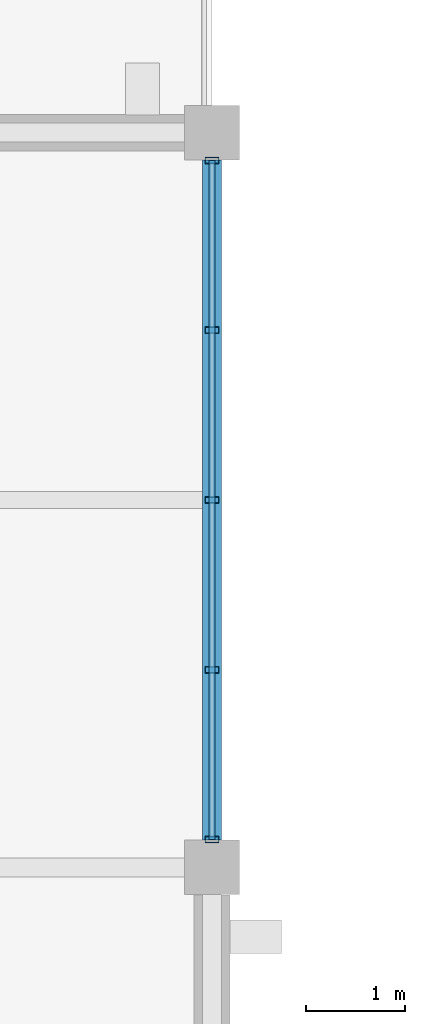
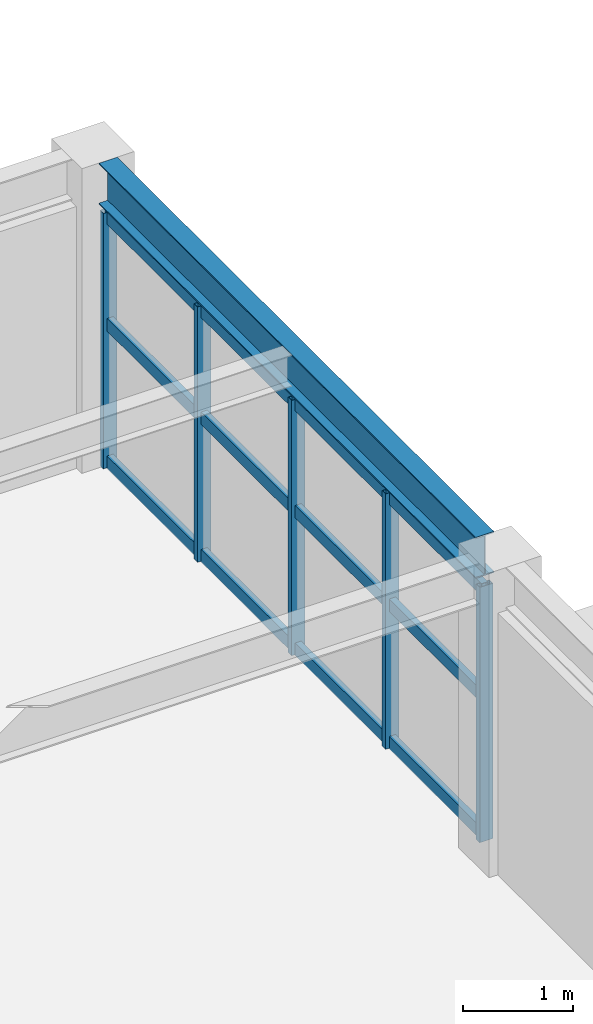
# One storey, part 18 of 93: 8 members, 1 beam, 1 element without a shape of its own.
"""IFC4 building model written with IfcOpenShell, lengths in metres."""

from ifc_helpers import new_model, si_unit, direction, frame, origin, origin_2d, place, context, subcontext, project, spatial, hollow_rectangle, i_section, extrude, material, material_profile, profile_set, type_object, element, aggregate, save


model = new_model("IFC4")

# Units and contexts
model_context = context("Model", 3, precision=1e-05, world=origin(), true_north=direction((0.0, 1.0)))
body_context = subcontext(model_context, "Body", "Model", "MODEL_VIEW")
ifc_project = project(units=[si_unit("LENGTHUNIT", "METRE"), si_unit("AREAUNIT", "SQUARE_METRE"), si_unit("VOLUMEUNIT", "CUBIC_METRE"), si_unit("PLANEANGLEUNIT", "RADIAN"), si_unit("MASSUNIT", "GRAM", prefix="KILO")], contexts=[model_context])

# Site, building, storey
site_placement = place(None, origin())
site = spatial("IfcSite", under=ifc_project, at=site_placement, CompositionType="ELEMENT")
building_placement = place(site_placement, origin())
building = spatial("IfcBuilding", under=site, at=building_placement, Name="Cimatlan Art Gallery", CompositionType="ELEMENT")
storey_placement = place(building_placement, frame((0.0, 0.0, 13.800048828125)))
storey = spatial("IfcBuildingStorey", under=building, at=storey_placement, Name="L03", CompositionType="ELEMENT", Elevation=13.800048828125)

# Beam
ifc_material_1 = material(Name="Steel ASTM A992 Grade 50", Category="steel")
ifc_material_profile_1 = material_profile(ifc_material_1, i_section(OverallWidth=0.19091796875, OverallDepth=0.45703125, WebThickness=0.009033203125, FlangeThickness=0.014404296875, at=origin_2d()), Name="W18X50")
ifc_profile_set_1 = profile_set([ifc_material_profile_1], Name="Steel ASTM A992 Grade 50")
beam_type = type_object("IfcBeamType", Name="BM-STL-W18X50", PredefinedType="BEAM", material=ifc_profile_set_1)
beam_placement = place(storey_placement, frame((18.199951171875, 61.175048828125, 3.1513671875), z_axis=(0.0, 1.0, 0.0), x_axis=(-1.0, 0.0, 0.0)))
element("IfcBeam", 1, at=beam_placement, inside=storey, type_object=beam_type, Name="BM-Y-L03-02-08", PredefinedType="BEAM", context=body_context, shape_type="SweptSolid", body=[
    extrude(i_section(OverallWidth=0.19091796875, OverallDepth=0.45703125, WebThickness=0.009033203125, FlangeThickness=0.014404296875, at=origin_2d()), origin(), (0.0, 0.0, 1.0), 6.849853515625),
])

# Curtain wall, members
ifc_material_2 = material(Name="Anodised bronze unitised curtain wall")
curtain_wall_type = type_object("IfcCurtainWallType", Name="CW-V-06842X02833-B4", PredefinedType="NOTDEFINED", material=ifc_material_2)
curtain_wall_placement = place(storey_placement, origin())
curtain_wall = element("IfcCurtainWall", 2, at=curtain_wall_placement, inside=storey, type_object=curtain_wall_type, Name="CW-L03-01-08-E", PredefinedType="NOTDEFINED")
ifc_material_3 = material(Name="Anodised bronze aluminium 6063-T6", Category="aluminium")
ifc_material_profile_2 = material_profile(ifc_material_3, hollow_rectangle(XDim=0.06494140625, YDim=0.139892578125, WallThickness=0.00390625, at=origin_2d()), Name="ALU65X140X4")
ifc_profile_set_2 = profile_set([ifc_material_profile_2], Name="Anodised bronze aluminium 6063-T6")
member_type_1 = type_object("IfcMemberType", Name="CW-MUL-140", PredefinedType="MULLION", material=ifc_profile_set_2)
member_1_placement = place(storey_placement, frame((18.199951171875, 68.02099609375, 0.0), z_axis=(0.0, 0.0, 1.0), x_axis=(0.0, 1.0, 0.0)))
member_1 = element("IfcMember", 3, at=member_1_placement, type_object=member_type_1, Name="CW-L03-01-08-E-M1", PredefinedType="MULLION", context=body_context, shape_type="SweptSolid", body=[
    extrude(hollow_rectangle(XDim=0.06494140625, YDim=0.139892578125, WallThickness=0.00390625, at=origin_2d()), origin(), (0.0, 0.0, 1.0), 2.8330078125),
])
member_2_placement = place(storey_placement, frame((18.199951171875, 66.310546875, 0.0), z_axis=(0.0, 0.0, 1.0), x_axis=(0.0, 1.0, 0.0)))
member_2 = element("IfcMember", 4, at=member_2_placement, type_object=member_type_1, Name="CW-L03-01-08-E-M2", PredefinedType="MULLION", context=body_context, shape_type="SweptSolid", body=[
    extrude(hollow_rectangle(XDim=0.06494140625, YDim=0.139892578125, WallThickness=0.00390625, at=origin_2d()), origin(), (0.0, 0.0, 1.0), 2.8330078125),
])
member_3_placement = place(storey_placement, frame((18.199951171875, 64.60009765625, 0.0), z_axis=(0.0, 0.0, 1.0), x_axis=(0.0, 1.0, 0.0)))
member_3 = element("IfcMember", 5, at=member_3_placement, type_object=member_type_1, Name="CW-L03-01-08-E-M3", PredefinedType="MULLION", context=body_context, shape_type="SweptSolid", body=[
    extrude(hollow_rectangle(XDim=0.06494140625, YDim=0.139892578125, WallThickness=0.00390625, at=origin_2d()), origin(), (0.0, 0.0, 1.0), 2.8330078125),
])
member_4_placement = place(storey_placement, frame((18.199951171875, 62.889404296875, 0.0), z_axis=(0.0, 0.0, 1.0), x_axis=(0.0, 1.0, 0.0)))
member_4 = element("IfcMember", 6, at=member_4_placement, type_object=member_type_1, Name="CW-L03-01-08-E-M4", PredefinedType="MULLION", context=body_context, shape_type="SweptSolid", body=[
    extrude(hollow_rectangle(XDim=0.06494140625, YDim=0.139892578125, WallThickness=0.00390625, at=origin_2d()), origin(), (0.0, 0.0, 1.0), 2.8330078125),
])
member_5_placement = place(storey_placement, frame((18.199951171875, 61.178955078125, 0.0), z_axis=(0.0, 0.0, 1.0), x_axis=(0.0, 1.0, 0.0)))
member_5 = element("IfcMember", 7, at=member_5_placement, type_object=member_type_1, Name="CW-L03-01-08-E-M5", PredefinedType="MULLION", context=body_context, shape_type="SweptSolid", body=[
    extrude(hollow_rectangle(XDim=0.06494140625, YDim=0.139892578125, WallThickness=0.00390625, at=origin_2d()), origin(), (0.0, 0.0, 1.0), 2.8330078125),
])
ifc_material_profile_3 = material_profile(ifc_material_3, hollow_rectangle(XDim=0.06494140625, YDim=0.139892578125, WallThickness=0.00390625, at=origin_2d()), Name="ALU65X140X4")
ifc_profile_set_3 = profile_set([ifc_material_profile_3], Name="Anodised bronze aluminium 6063-T6")
member_type_2 = type_object("IfcMemberType", Name="CW-TRN-140", PredefinedType="USERDEFINED", material=ifc_profile_set_3)
member_6_placement = place(storey_placement, frame((18.199951171875, 68.02099609375, 0.06005859375), z_axis=(0.0, -1.0, 0.0), x_axis=(1.0, 0.0, 0.0)))
member_6 = element("IfcMember", 8, at=member_6_placement, type_object=member_type_2, Name="CW-L03-01-08-E-T1", ObjectType="TRANSOM", PredefinedType="USERDEFINED", context=body_context, shape_type="SweptSolid", body=[
    extrude(hollow_rectangle(XDim=0.06494140625, YDim=0.139892578125, WallThickness=0.00390625, at=origin_2d()), origin(), (0.0, 0.0, 1.0), 6.842041015625),
])
member_7_placement = place(storey_placement, frame((18.199951171875, 68.02099609375, 1.58642578125), z_axis=(0.0, -1.0, 0.0), x_axis=(1.0, 0.0, 0.0)))
member_7 = element("IfcMember", 9, at=member_7_placement, type_object=member_type_2, Name="CW-L03-01-08-E-T2", ObjectType="TRANSOM", PredefinedType="USERDEFINED", context=body_context, shape_type="SweptSolid", body=[
    extrude(hollow_rectangle(XDim=0.06494140625, YDim=0.139892578125, WallThickness=0.00390625, at=origin_2d()), origin(), (0.0, 0.0, 1.0), 6.842041015625),
])
member_8_placement = place(storey_placement, frame((18.199951171875, 68.02099609375, 2.77294921875), z_axis=(0.0, -1.0, 0.0), x_axis=(1.0, 0.0, 0.0)))
member_8 = element("IfcMember", 10, at=member_8_placement, type_object=member_type_2, Name="CW-L03-01-08-E-T3", ObjectType="TRANSOM", PredefinedType="USERDEFINED", context=body_context, shape_type="SweptSolid", body=[
    extrude(hollow_rectangle(XDim=0.06494140625, YDim=0.139892578125, WallThickness=0.00390625, at=origin_2d()), origin(), (0.0, 0.0, 1.0), 6.842041015625),
])
aggregate(curtain_wall, [member_1, member_2, member_3, member_4, member_5, member_6, member_7, member_8])

save(model, "model.ifc")
